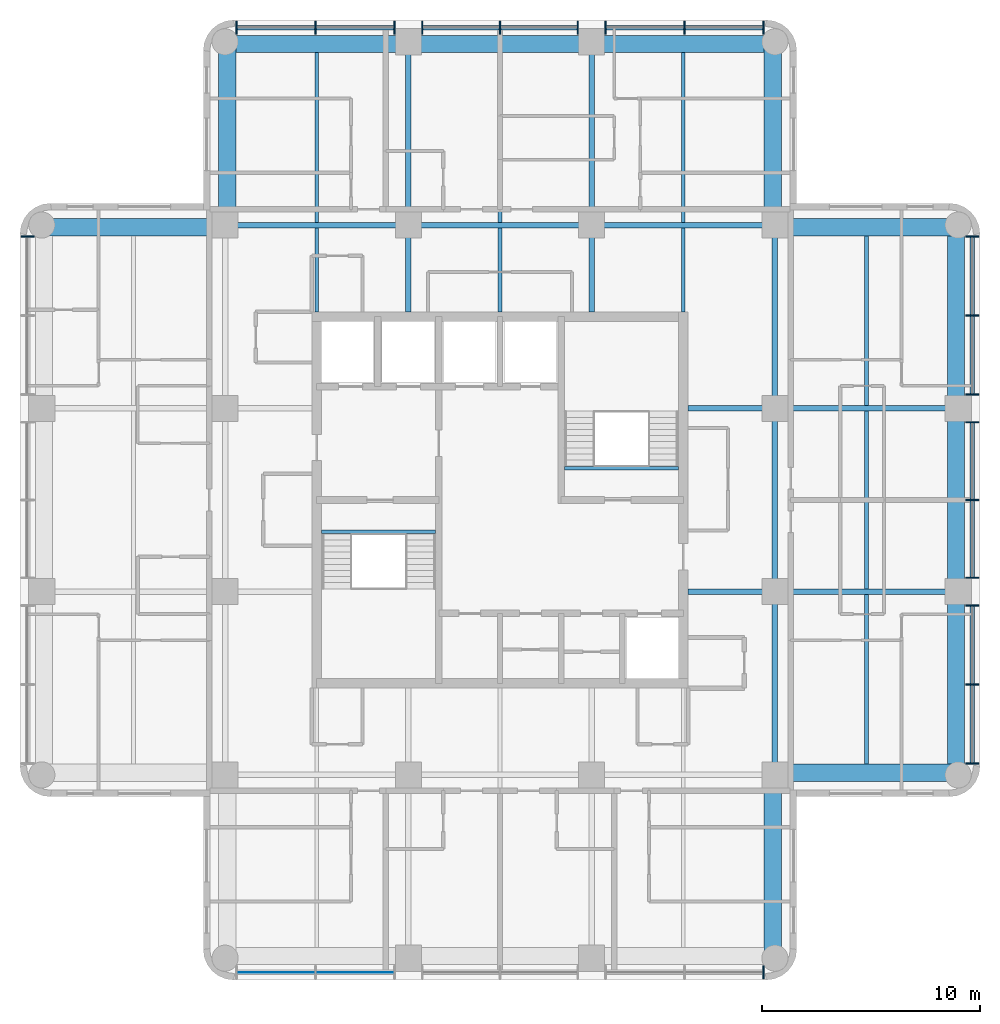
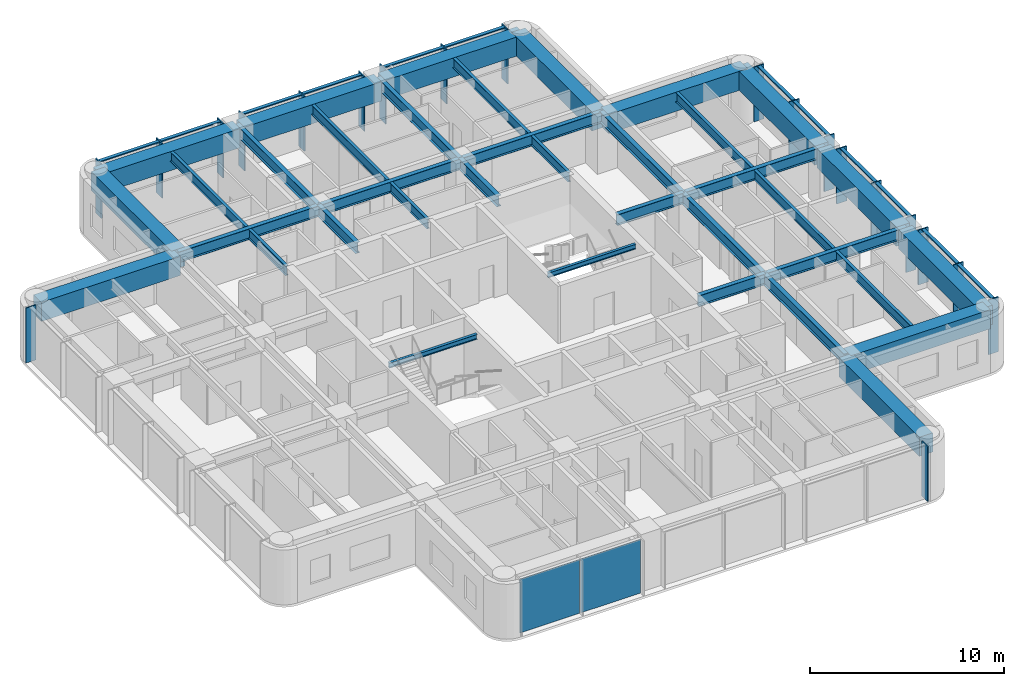
# One storey, part 2 of 10: 37 beams, 32 members, 2 plates, 4 elements without a shape of their own.
"""IFC4 building model written with IfcOpenShell, lengths in metres."""

import ifcopenshell
import ifcopenshell.guid

model = None  # the IFC model being written
_history = None  # IfcOwnerHistory: only IFC2X3 demands one
_inside = {}  # id of a spatial element -> (the spatial element, [elements in it])
_under = {}  # id of a project, library or spatial element -> (it, [spatial elements below it])
_declared = {}  # id of a project -> (the project, [libraries it declares])
_typed = {}  # id of a type object -> (the type object, [elements of that type])
_made_of = {}  # id of a material, layer set ... -> (it, [elements and type objects made of it])


def new_model(schema):
    """Start an empty IFC model of exactly this schema.

    Asked for "IFC4X3", IfcOpenShell would pick the latest addendum, in which some entities
    have other attributes; the version numbers below select the first issue.
    IFC2X3 requires an IfcOwnerHistory on every rooted entity: one is made here for all.
    """
    global model, _history
    if schema == "IFC4X3":
        model = ifcopenshell.file(schema_version=(4, 3, 0, 0))
    else:
        model = ifcopenshell.file(schema=schema)
    _inside.clear()
    _under.clear()
    _declared.clear()
    _typed.clear()
    _made_of.clear()
    _history = None
    if model.schema == "IFC2X3":
        org = make("IfcOrganization", Name="unknown")
        user = make(
            "IfcPersonAndOrganization",
            ThePerson=make("IfcPerson", FamilyName="unknown"),
            TheOrganization=org,
        )
        app = make(
            "IfcApplication",
            ApplicationDeveloper=org,
            Version="unknown",
            ApplicationFullName="unknown",
            ApplicationIdentifier="unknown",
        )
        _history = make(
            "IfcOwnerHistory",
            OwningUser=user,
            OwningApplication=app,
            ChangeAction="ADDED",
            CreationDate=0,
        )
    return model


def make(cls, **values):
    """One entity of the class cls with the attributes given. An attribute that is None is left unset."""
    return model.create_entity(
        cls, **{name: value for name, value in values.items() if value is not None}
    )


def rooted(cls, **values):
    """An entity with a GlobalId (a new one), such as an element, a storey or a relation."""
    return make(cls, GlobalId=ifcopenshell.guid.new(), OwnerHistory=_history, **values)


def si_unit(unit_type, name, prefix=None):
    """IfcSIUnit, for example si_unit("LENGTHUNIT", "METRE", prefix="MILLI")."""
    return make("IfcSIUnit", UnitType=unit_type, Prefix=prefix, Name=name)


def assignment(units):
    """IfcUnitAssignment: the units of a project."""
    return None if units is None else make("IfcUnitAssignment", Units=units)


def point(xyz):
    """IfcCartesianPoint."""
    return None if xyz is None else make("IfcCartesianPoint", Coordinates=xyz)


def direction(xyz):
    """IfcDirection."""
    return None if xyz is None else make("IfcDirection", DirectionRatios=xyz)


def frame(location, z_axis=None, x_axis=None):
    """IfcAxis2Placement3D, a coordinate frame: its origin and axes. An axis left out is left unset."""
    return make(
        "IfcAxis2Placement3D",
        Location=point(location),
        Axis=direction(z_axis),
        RefDirection=direction(x_axis),
    )


def frame_2d(location, x_axis=None):
    """IfcAxis2Placement2D, a coordinate frame in the plane: its origin and x axis."""
    return make(
        "IfcAxis2Placement2D", Location=point(location), RefDirection=direction(x_axis)
    )


def origin():
    """The frame at (0, 0, 0) with its axes left unset."""
    return frame((0.0, 0.0, 0.0))


def origin_2d():
    """The frame at (0, 0) in the plane with its x axis left unset."""
    return frame_2d((0.0, 0.0))


def place(relative_to, where):
    """IfcLocalPlacement: puts the frame where relative to a parent placement (None: the world)."""
    return make(
        "IfcLocalPlacement", PlacementRelTo=relative_to, RelativePlacement=where
    )


def context(
    kind, dimensions, precision=None, world=None, true_north=None, identifier=None
):
    """IfcGeometricRepresentationContext, for example the 3D "Model" context."""
    return make(
        "IfcGeometricRepresentationContext",
        ContextIdentifier=identifier,
        ContextType=kind,
        CoordinateSpaceDimension=dimensions,
        Precision=precision,
        WorldCoordinateSystem=world,
        TrueNorth=true_north,
    )


def subcontext(parent, identifier, kind, view, scale=None):
    """IfcGeometricRepresentationSubContext, for example "Body" below "Model"."""
    return make(
        "IfcGeometricRepresentationSubContext",
        ContextIdentifier=identifier,
        ContextType=kind,
        ParentContext=parent,
        TargetScale=scale,
        TargetView=view,
    )


def project(units=None, contexts=None):
    """IfcProject with its units and contexts."""
    return rooted(
        "IfcProject",
        Name="project",
        RepresentationContexts=contexts,
        UnitsInContext=assignment(units),
    )


def spatial(cls, under=None, at=None, **own):
    """A site, building, storey or space (cls), placed at a placement, below another one or the project."""
    s = rooted(cls, ObjectPlacement=at, **own)
    if under is not None:
        _under.setdefault(under.id(), (under, []))[1].append(s)
    return s


def profile(cls, at=None, kind="AREA", **sizes):
    """A parametric profile (cls). Its sizes go by their IFC names, for example OverallWidth=200.0."""
    return make(cls, ProfileType=kind, Position=at, **sizes)


def rectangle(**sizes):
    """IfcRectangleProfileDef."""
    return profile("IfcRectangleProfileDef", **sizes)


def i_section(**sizes):
    """IfcIShapeProfileDef."""
    return profile("IfcIShapeProfileDef", **sizes)


def extrude(swept, where, along, depth):
    """IfcExtrudedAreaSolid: the profile swept, set in the frame where, extruded along a direction by depth."""
    return make(
        "IfcExtrudedAreaSolid",
        SweptArea=swept,
        Position=where,
        ExtrudedDirection=direction(along),
        Depth=depth,
    )


def shape(context_of_items, identifier, shape_type, items):
    """IfcShapeRepresentation: the items that make up one representation, for example the "Body"."""
    return make(
        "IfcShapeRepresentation",
        ContextOfItems=context_of_items,
        RepresentationIdentifier=identifier,
        RepresentationType=shape_type,
        Items=items,
    )


def material(Name=None, Category=None):
    """IfcMaterial."""
    return make("IfcMaterial", Name=Name, Category=Category)


def layer(
    of_material, thickness, ventilated=None, Name=None, Category=None, Priority=None
):
    """IfcMaterialLayer: one layer of a wall or slab, of a material (None: an air gap)."""
    return make(
        "IfcMaterialLayer",
        Material=of_material,
        LayerThickness=thickness,
        IsVentilated=ventilated,
        Name=Name,
        Category=Category,
        Priority=Priority,
    )


def layer_set(layers, Name=None):
    """IfcMaterialLayerSet."""
    return make("IfcMaterialLayerSet", MaterialLayers=layers, LayerSetName=Name)


def material_profile(
    of_material, cross_section, Name=None, Category=None, Priority=None
):
    """IfcMaterialProfile: a cross section and its material."""
    return make(
        "IfcMaterialProfile",
        Name=Name,
        Material=of_material,
        Profile=cross_section,
        Priority=Priority,
        Category=Category,
    )


def profile_set(profiles, Name=None, composite=None):
    """IfcMaterialProfileSet."""
    return make(
        "IfcMaterialProfileSet",
        Name=Name,
        MaterialProfiles=profiles,
        CompositeProfile=composite,
    )


def made_of(thing, what):
    """Note that an element or type object is made of a material, layer set ...; save() writes the relation."""
    if what is not None:
        _made_of.setdefault(what.id(), (what, []))[1].append(thing)
    return thing


def type_object(cls, material=None, **own):
    """A type object (cls), such as IfcWallType, which elements share."""
    return made_of(rooted(cls, **own), material)


def element(
    cls,
    number,
    at=None,
    inside=None,
    cuts=None,
    type_object=None,
    material=None,
    context=None,
    identifier="Body",
    shape_type=None,
    held_by="IfcProductDefinitionShape",
    body=None,
    shapes=None,
    **own,
):
    """One element of the class cls, such as IfcWall. Its Tag is "e" and its number.

    at: its placement. inside: the storey or other place that contains it. cuts: it is an
    opening in that element (IfcRelVoidsElement). A single representation is given by context,
    identifier, shape_type and body (its items); several are given by shapes. held_by: the class
    of the entity that holds the representations. save() writes the other relations.
    """
    e = rooted(cls, Tag="e%d" % number, ObjectPlacement=at, **own)
    if body is not None:
        shapes = [shape(context, identifier, shape_type, body)]
    if shapes is not None:
        e.Representation = make(held_by, Representations=shapes)
    if inside is not None:
        _inside.setdefault(inside.id(), (inside, []))[1].append(e)
    if cuts is not None:
        rooted(
            "IfcRelVoidsElement", RelatingBuildingElement=cuts, RelatedOpeningElement=e
        )
    if type_object is not None:
        _typed.setdefault(type_object.id(), (type_object, []))[1].append(e)
    return made_of(e, material)


def aggregate(whole, parts):
    """IfcRelAggregates: a whole, such as a stair, and the parts it consists of."""
    return rooted("IfcRelAggregates", RelatingObject=whole, RelatedObjects=parts)


def save(model, path):
    """Write the relations noted so far, then the file.

    IfcRelAggregates (storeys below a building ...), IfcRelContainedInSpatialStructure (elements
    in a storey), IfcRelDefinesByType, IfcRelAssociatesMaterial and IfcRelDeclares: one each for
    every whole, place, type object, material and project.
    """
    for whole, parts in _under.values():
        aggregate(whole, parts)
    for where, things in _inside.values():
        rooted(
            "IfcRelContainedInSpatialStructure",
            RelatedElements=things,
            RelatingStructure=where,
        )
    for kind, things in _typed.values():
        rooted("IfcRelDefinesByType", RelatedObjects=things, RelatingType=kind)
    for what, things in _made_of.values():
        rooted("IfcRelAssociatesMaterial", RelatedObjects=things, RelatingMaterial=what)
    for by, libraries in _declared.values():
        rooted("IfcRelDeclares", RelatingContext=by, RelatedDefinitions=libraries)
    model.write(path)


model = new_model("IFC4")

# Units and contexts
model_context = context("Model", 3, precision=1e-05, world=origin(), true_north=direction((0.0, 1.0)))
body_context = subcontext(model_context, "Body", "Model", "MODEL_VIEW")
ifc_project = project(units=[si_unit("LENGTHUNIT", "METRE"), si_unit("AREAUNIT", "SQUARE_METRE"), si_unit("VOLUMEUNIT", "CUBIC_METRE"), si_unit("PLANEANGLEUNIT", "RADIAN"), si_unit("MASSUNIT", "GRAM", prefix="KILO")], contexts=[model_context])

# Site, building, storey
site_placement = place(None, origin())
site = spatial("IfcSite", under=ifc_project, at=site_placement, CompositionType="ELEMENT")
building_placement = place(site_placement, origin())
building = spatial("IfcBuilding", under=site, at=building_placement, Name="Torre Alcanfor", CompositionType="ELEMENT")
storey_placement = place(building_placement, frame((0.0, 0.0, 275.699951171875)))
storey = spatial("IfcBuildingStorey", under=building, at=storey_placement, Name="L72", CompositionType="ELEMENT", Elevation=275.699951171875)

# Curtain wall, member
ifc_material_1 = material(Name="Aluminium and glass", Category="aluminium")
curtain_wall_type = type_object("IfcCurtainWallType", Name="CW-A unitised apartment glazing with vertical FIN", PredefinedType="NOTDEFINED", material=ifc_material_1)
curtain_wall_1_placement = place(storey_placement, origin())
curtain_wall_1 = element("IfcCurtainWall", 1, at=curtain_wall_1_placement, inside=storey, type_object=curtain_wall_type, Name="Curtain wall CW-A L72 2", PredefinedType="NOTDEFINED")
ifc_material_2 = material(Name="Bronze anodised aluminium", Category="aluminium")
ifc_material_profile_1 = material_profile(ifc_material_2, rectangle(XDim=0.60009765625, YDim=0.06494140625, at=origin_2d()), Name="CW-A mullion 65x600")
ifc_profile_set_1 = profile_set([ifc_material_profile_1], Name="Bronze anodised aluminium")
member_type_1 = type_object("IfcMemberType", Name="CW-A mullion with vertical FIN 65x600", PredefinedType="MULLION", material=ifc_profile_set_1)
member_1_placement = place(storey_placement, frame((7.75, 41.47412109375, 0.0), z_axis=(0.0, 0.0, 1.0), x_axis=(1.0, 0.0, 0.0)))
member_1 = element("IfcMember", 2, at=member_1_placement, type_object=member_type_1, Name="CW-A mullion 1.1", PredefinedType="MULLION", context=body_context, shape_type="SweptSolid", body=[
    extrude(rectangle(XDim=0.60009765625, YDim=0.06494140625, at=origin_2d()), origin(), (0.0, 0.0, 1.0), 3.449951171875),
])
aggregate(curtain_wall_1, [member_1])

curtain_wall_2_placement = place(storey_placement, origin())
curtain_wall_2 = element("IfcCurtainWall", 3, at=curtain_wall_2_placement, inside=storey, type_object=curtain_wall_type, Name="Curtain wall CW-A L72 5", PredefinedType="NOTDEFINED")
member_2_placement = place(storey_placement, frame((41.47412109375, 7.75, 0.0), z_axis=(0.0, 0.0, 1.0), x_axis=(0.0, 1.0, 0.0)))
member_2 = element("IfcMember", 4, at=member_2_placement, type_object=member_type_1, Name="CW-A mullion 3.3", PredefinedType="MULLION", context=body_context, shape_type="SweptSolid", body=[
    extrude(rectangle(XDim=0.60009765625, YDim=0.06494140625, at=origin_2d()), origin(), (0.0, 0.0, 1.0), 3.449951171875),
])

# Curtain wall, members
curtain_wall_3_placement = place(storey_placement, origin())
curtain_wall_3 = element("IfcCurtainWall", 5, at=curtain_wall_3_placement, inside=storey, type_object=curtain_wall_type, Name="Curtain wall CW-A L72 8", PredefinedType="NOTDEFINED")
member_3_placement = place(storey_placement, frame((51.050048828125, 17.325927734375, 0.0), z_axis=(0.0, 0.0, 1.0), x_axis=(-1.0, 0.0, 0.0)))
member_3 = element("IfcMember", 6, at=member_3_placement, type_object=member_type_1, Name="CW-A mullion 1.1", PredefinedType="MULLION", context=body_context, shape_type="SweptSolid", body=[
    extrude(rectangle(XDim=0.60009765625, YDim=0.06494140625, at=origin_2d()), origin(), (0.0, 0.0, 1.0), 3.449951171875),
])
member_4_placement = place(storey_placement, frame((51.050048828125, 20.9443359375, 0.0), z_axis=(0.0, 0.0, 1.0), x_axis=(-1.0, 0.0, 0.0)))
member_4 = element("IfcMember", 7, at=member_4_placement, type_object=member_type_1, Name="CW-A mullion 1.2", PredefinedType="MULLION", context=body_context, shape_type="SweptSolid", body=[
    extrude(rectangle(XDim=0.60009765625, YDim=0.06494140625, at=origin_2d()), origin(), (0.0, 0.0, 1.0), 3.449951171875),
])
member_5_placement = place(storey_placement, frame((51.050048828125, 24.5625, 0.0), z_axis=(0.0, 0.0, 1.0), x_axis=(-1.0, 0.0, 0.0)))
member_5 = element("IfcMember", 8, at=member_5_placement, type_object=member_type_1, Name="CW-A mullion 1.3", PredefinedType="MULLION", context=body_context, shape_type="SweptSolid", body=[
    extrude(rectangle(XDim=0.60009765625, YDim=0.06494140625, at=origin_2d()), origin(), (0.0, 0.0, 1.0), 3.449951171875),
])
member_6_placement = place(storey_placement, frame((51.050048828125, 25.83740234375, 0.0), z_axis=(0.0, 0.0, 1.0), x_axis=(-1.0, 0.0, 0.0)))
member_6 = element("IfcMember", 9, at=member_6_placement, type_object=member_type_1, Name="CW-A mullion 2.1", PredefinedType="MULLION", context=body_context, shape_type="SweptSolid", body=[
    extrude(rectangle(XDim=0.60009765625, YDim=0.06494140625, at=origin_2d()), origin(), (0.0, 0.0, 1.0), 3.449951171875),
])
member_7_placement = place(storey_placement, frame((51.050048828125, 29.39990234375, 0.0), z_axis=(0.0, 0.0, 1.0), x_axis=(-1.0, 0.0, 0.0)))
member_7 = element("IfcMember", 10, at=member_7_placement, type_object=member_type_1, Name="CW-A mullion 2.2", PredefinedType="MULLION", context=body_context, shape_type="SweptSolid", body=[
    extrude(rectangle(XDim=0.60009765625, YDim=0.06494140625, at=origin_2d()), origin(), (0.0, 0.0, 1.0), 3.449951171875),
])
member_8_placement = place(storey_placement, frame((51.050048828125, 32.96240234375, 0.0), z_axis=(0.0, 0.0, 1.0), x_axis=(-1.0, 0.0, 0.0)))
member_8 = element("IfcMember", 11, at=member_8_placement, type_object=member_type_1, Name="CW-A mullion 2.3", PredefinedType="MULLION", context=body_context, shape_type="SweptSolid", body=[
    extrude(rectangle(XDim=0.60009765625, YDim=0.06494140625, at=origin_2d()), origin(), (0.0, 0.0, 1.0), 3.449951171875),
])
member_9_placement = place(storey_placement, frame((51.050048828125, 34.237548828125, 0.0), z_axis=(0.0, 0.0, 1.0), x_axis=(-1.0, 0.0, 0.0)))
member_9 = element("IfcMember", 12, at=member_9_placement, type_object=member_type_1, Name="CW-A mullion 3.1", PredefinedType="MULLION", context=body_context, shape_type="SweptSolid", body=[
    extrude(rectangle(XDim=0.60009765625, YDim=0.06494140625, at=origin_2d()), origin(), (0.0, 0.0, 1.0), 3.449951171875),
])
member_10_placement = place(storey_placement, frame((51.050048828125, 37.855712890625, 0.0), z_axis=(0.0, 0.0, 1.0), x_axis=(-1.0, 0.0, 0.0)))
member_10 = element("IfcMember", 13, at=member_10_placement, type_object=member_type_1, Name="CW-A mullion 3.2", PredefinedType="MULLION", context=body_context, shape_type="SweptSolid", body=[
    extrude(rectangle(XDim=0.60009765625, YDim=0.06494140625, at=origin_2d()), origin(), (0.0, 0.0, 1.0), 3.449951171875),
])
member_11_placement = place(storey_placement, frame((51.050048828125, 41.47412109375, 0.0), z_axis=(0.0, 0.0, 1.0), x_axis=(-1.0, 0.0, 0.0)))
member_11 = element("IfcMember", 14, at=member_11_placement, type_object=member_type_1, Name="CW-A mullion 3.3", PredefinedType="MULLION", context=body_context, shape_type="SweptSolid", body=[
    extrude(rectangle(XDim=0.60009765625, YDim=0.06494140625, at=origin_2d()), origin(), (0.0, 0.0, 1.0), 3.449951171875),
])

curtain_wall_4_placement = place(storey_placement, origin())
curtain_wall_4 = element("IfcCurtainWall", 15, at=curtain_wall_4_placement, inside=storey, type_object=curtain_wall_type, Name="Curtain wall CW-A L72 11", PredefinedType="NOTDEFINED")
member_12_placement = place(storey_placement, frame((41.47412109375, 51.050048828125, 0.0), z_axis=(0.0, 0.0, 1.0), x_axis=(0.0, -1.0, 0.0)))
member_12 = element("IfcMember", 16, at=member_12_placement, type_object=member_type_1, Name="CW-A mullion 1.1", PredefinedType="MULLION", context=body_context, shape_type="SweptSolid", body=[
    extrude(rectangle(XDim=0.60009765625, YDim=0.06494140625, at=origin_2d()), origin(), (0.0, 0.0, 1.0), 3.449951171875),
])
member_13_placement = place(storey_placement, frame((37.855712890625, 51.050048828125, 0.0), z_axis=(0.0, 0.0, 1.0), x_axis=(0.0, -1.0, 0.0)))
member_13 = element("IfcMember", 17, at=member_13_placement, type_object=member_type_1, Name="CW-A mullion 1.2", PredefinedType="MULLION", context=body_context, shape_type="SweptSolid", body=[
    extrude(rectangle(XDim=0.60009765625, YDim=0.06494140625, at=origin_2d()), origin(), (0.0, 0.0, 1.0), 3.449951171875),
])
member_14_placement = place(storey_placement, frame((34.237548828125, 51.050048828125, 0.0), z_axis=(0.0, 0.0, 1.0), x_axis=(0.0, -1.0, 0.0)))
member_14 = element("IfcMember", 18, at=member_14_placement, type_object=member_type_1, Name="CW-A mullion 1.3", PredefinedType="MULLION", context=body_context, shape_type="SweptSolid", body=[
    extrude(rectangle(XDim=0.60009765625, YDim=0.06494140625, at=origin_2d()), origin(), (0.0, 0.0, 1.0), 3.449951171875),
])
member_15_placement = place(storey_placement, frame((32.96240234375, 51.050048828125, 0.0), z_axis=(0.0, 0.0, 1.0), x_axis=(0.0, -1.0, 0.0)))
member_15 = element("IfcMember", 19, at=member_15_placement, type_object=member_type_1, Name="CW-A mullion 2.1", PredefinedType="MULLION", context=body_context, shape_type="SweptSolid", body=[
    extrude(rectangle(XDim=0.60009765625, YDim=0.06494140625, at=origin_2d()), origin(), (0.0, 0.0, 1.0), 3.449951171875),
])
member_16_placement = place(storey_placement, frame((29.39990234375, 51.050048828125, 0.0), z_axis=(0.0, 0.0, 1.0), x_axis=(0.0, -1.0, 0.0)))
member_16 = element("IfcMember", 20, at=member_16_placement, type_object=member_type_1, Name="CW-A mullion 2.2", PredefinedType="MULLION", context=body_context, shape_type="SweptSolid", body=[
    extrude(rectangle(XDim=0.60009765625, YDim=0.06494140625, at=origin_2d()), origin(), (0.0, 0.0, 1.0), 3.449951171875),
])
member_17_placement = place(storey_placement, frame((25.83740234375, 51.050048828125, 0.0), z_axis=(0.0, 0.0, 1.0), x_axis=(0.0, -1.0, 0.0)))
member_17 = element("IfcMember", 21, at=member_17_placement, type_object=member_type_1, Name="CW-A mullion 2.3", PredefinedType="MULLION", context=body_context, shape_type="SweptSolid", body=[
    extrude(rectangle(XDim=0.60009765625, YDim=0.06494140625, at=origin_2d()), origin(), (0.0, 0.0, 1.0), 3.449951171875),
])
member_18_placement = place(storey_placement, frame((24.5625, 51.050048828125, 0.0), z_axis=(0.0, 0.0, 1.0), x_axis=(0.0, -1.0, 0.0)))
member_18 = element("IfcMember", 22, at=member_18_placement, type_object=member_type_1, Name="CW-A mullion 3.1", PredefinedType="MULLION", context=body_context, shape_type="SweptSolid", body=[
    extrude(rectangle(XDim=0.60009765625, YDim=0.06494140625, at=origin_2d()), origin(), (0.0, 0.0, 1.0), 3.449951171875),
])
member_19_placement = place(storey_placement, frame((20.9443359375, 51.050048828125, 0.0), z_axis=(0.0, 0.0, 1.0), x_axis=(0.0, -1.0, 0.0)))
member_19 = element("IfcMember", 23, at=member_19_placement, type_object=member_type_1, Name="CW-A mullion 3.2", PredefinedType="MULLION", context=body_context, shape_type="SweptSolid", body=[
    extrude(rectangle(XDim=0.60009765625, YDim=0.06494140625, at=origin_2d()), origin(), (0.0, 0.0, 1.0), 3.449951171875),
])
member_20_placement = place(storey_placement, frame((17.325927734375, 51.050048828125, 0.0), z_axis=(0.0, 0.0, 1.0), x_axis=(0.0, -1.0, 0.0)))
member_20 = element("IfcMember", 24, at=member_20_placement, type_object=member_type_1, Name="CW-A mullion 3.3", PredefinedType="MULLION", context=body_context, shape_type="SweptSolid", body=[
    extrude(rectangle(XDim=0.60009765625, YDim=0.06494140625, at=origin_2d()), origin(), (0.0, 0.0, 1.0), 3.449951171875),
])

# Member
ifc_material_3 = material(Name="Extruded aluminium", Category="aluminium")
ifc_material_profile_2 = material_profile(ifc_material_3, rectangle(XDim=0.199951171875, YDim=0.06494140625, at=origin_2d()), Name="CW-A transom 200x65")
ifc_profile_set_2 = profile_set([ifc_material_profile_2], Name="Extruded aluminium")
member_type_2 = type_object("IfcMemberType", Name="CW-A transom 65x200", PredefinedType="USERDEFINED", material=ifc_profile_set_2)
member_21_placement = place(storey_placement, frame((51.050048828125, 17.3583984375, 3.41748046875), z_axis=(0.0, 1.0, 0.0), x_axis=(-1.0, 0.0, 0.0)))
member_21 = element("IfcMember", 25, at=member_21_placement, type_object=member_type_2, Name="CW-A transom 1.1.2", ObjectType="TRANSOM", PredefinedType="USERDEFINED", context=body_context, shape_type="SweptSolid", body=[
    extrude(rectangle(XDim=0.199951171875, YDim=0.06494140625, at=origin_2d()), origin(), (0.0, 0.0, 1.0), 3.553466796875),
])

member_22_placement = place(storey_placement, frame((51.050048828125, 20.976806640625, 3.41748046875), z_axis=(0.0, 1.0, 0.0), x_axis=(-1.0, 0.0, 0.0)))
member_22 = element("IfcMember", 26, at=member_22_placement, type_object=member_type_2, Name="CW-A transom 1.2.2", ObjectType="TRANSOM", PredefinedType="USERDEFINED", context=body_context, shape_type="SweptSolid", body=[
    extrude(rectangle(XDim=0.199951171875, YDim=0.06494140625, at=origin_2d()), origin(), (0.0, 0.0, 1.0), 3.55322265625),
])

member_23_placement = place(storey_placement, frame((51.050048828125, 25.8701171875, 3.41748046875), z_axis=(0.0, 1.0, 0.0), x_axis=(-1.0, 0.0, 0.0)))
member_23 = element("IfcMember", 27, at=member_23_placement, type_object=member_type_2, Name="CW-A transom 2.1.2", ObjectType="TRANSOM", PredefinedType="USERDEFINED", context=body_context, shape_type="SweptSolid", body=[
    extrude(rectangle(XDim=0.199951171875, YDim=0.06494140625, at=origin_2d()), origin(), (0.0, 0.0, 1.0), 3.497314453125),
])

member_24_placement = place(storey_placement, frame((51.050048828125, 29.4326171875, 3.41748046875), z_axis=(0.0, 1.0, 0.0), x_axis=(-1.0, 0.0, 0.0)))
member_24 = element("IfcMember", 28, at=member_24_placement, type_object=member_type_2, Name="CW-A transom 2.2.2", ObjectType="TRANSOM", PredefinedType="USERDEFINED", context=body_context, shape_type="SweptSolid", body=[
    extrude(rectangle(XDim=0.199951171875, YDim=0.06494140625, at=origin_2d()), origin(), (0.0, 0.0, 1.0), 3.497314453125),
])

member_25_placement = place(storey_placement, frame((51.050048828125, 34.27001953125, 3.41748046875), z_axis=(0.0, 1.0, 0.0), x_axis=(-1.0, 0.0, 0.0)))
member_25 = element("IfcMember", 29, at=member_25_placement, type_object=member_type_2, Name="CW-A transom 3.1.2", ObjectType="TRANSOM", PredefinedType="USERDEFINED", context=body_context, shape_type="SweptSolid", body=[
    extrude(rectangle(XDim=0.199951171875, YDim=0.06494140625, at=origin_2d()), origin(), (0.0, 0.0, 1.0), 3.55322265625),
])

member_26_placement = place(storey_placement, frame((51.050048828125, 37.88818359375, 3.41748046875), z_axis=(0.0, 1.0, 0.0), x_axis=(-1.0, 0.0, 0.0)))
member_26 = element("IfcMember", 30, at=member_26_placement, type_object=member_type_2, Name="CW-A transom 3.2.2", ObjectType="TRANSOM", PredefinedType="USERDEFINED", context=body_context, shape_type="SweptSolid", body=[
    extrude(rectangle(XDim=0.199951171875, YDim=0.06494140625, at=origin_2d()), origin(), (0.0, 0.0, 1.0), 3.55322265625),
])

aggregate(curtain_wall_3, [member_3, member_4, member_5, member_21, member_22, member_6, member_7, member_8, member_23, member_24, member_9, member_10, member_11, member_25, member_26])

member_27_placement = place(storey_placement, frame((41.44140625, 51.050048828125, 3.41748046875), z_axis=(-1.0, 0.0, 0.0), x_axis=(0.0, -1.0, 0.0)))
member_27 = element("IfcMember", 31, at=member_27_placement, type_object=member_type_2, Name="CW-A transom 1.1.2", ObjectType="TRANSOM", PredefinedType="USERDEFINED", context=body_context, shape_type="SweptSolid", body=[
    extrude(rectangle(XDim=0.199951171875, YDim=0.06494140625, at=origin_2d()), origin(), (0.0, 0.0, 1.0), 3.55322265625),
])

member_28_placement = place(storey_placement, frame((37.8232421875, 51.050048828125, 3.41748046875), z_axis=(-1.0, 0.0, 0.0), x_axis=(0.0, -1.0, 0.0)))
member_28 = element("IfcMember", 32, at=member_28_placement, type_object=member_type_2, Name="CW-A transom 1.2.2", ObjectType="TRANSOM", PredefinedType="USERDEFINED", context=body_context, shape_type="SweptSolid", body=[
    extrude(rectangle(XDim=0.199951171875, YDim=0.06494140625, at=origin_2d()), origin(), (0.0, 0.0, 1.0), 3.55322265625),
])

member_29_placement = place(storey_placement, frame((32.929931640625, 51.050048828125, 3.41748046875), z_axis=(-1.0, 0.0, 0.0), x_axis=(0.0, -1.0, 0.0)))
member_29 = element("IfcMember", 33, at=member_29_placement, type_object=member_type_2, Name="CW-A transom 2.1.2", ObjectType="TRANSOM", PredefinedType="USERDEFINED", context=body_context, shape_type="SweptSolid", body=[
    extrude(rectangle(XDim=0.199951171875, YDim=0.06494140625, at=origin_2d()), origin(), (0.0, 0.0, 1.0), 3.497314453125),
])

member_30_placement = place(storey_placement, frame((29.367431640625, 51.050048828125, 3.41748046875), z_axis=(-1.0, 0.0, 0.0), x_axis=(0.0, -1.0, 0.0)))
member_30 = element("IfcMember", 34, at=member_30_placement, type_object=member_type_2, Name="CW-A transom 2.2.2", ObjectType="TRANSOM", PredefinedType="USERDEFINED", context=body_context, shape_type="SweptSolid", body=[
    extrude(rectangle(XDim=0.199951171875, YDim=0.06494140625, at=origin_2d()), origin(), (0.0, 0.0, 1.0), 3.497314453125),
])

member_31_placement = place(storey_placement, frame((24.530029296875, 51.050048828125, 3.41748046875), z_axis=(-1.0, 0.0, 0.0), x_axis=(0.0, -1.0, 0.0)))
member_31 = element("IfcMember", 35, at=member_31_placement, type_object=member_type_2, Name="CW-A transom 3.1.2", ObjectType="TRANSOM", PredefinedType="USERDEFINED", context=body_context, shape_type="SweptSolid", body=[
    extrude(rectangle(XDim=0.199951171875, YDim=0.06494140625, at=origin_2d()), origin(), (0.0, 0.0, 1.0), 3.55322265625),
])

member_32_placement = place(storey_placement, frame((20.911865234375, 51.050048828125, 3.41748046875), z_axis=(-1.0, 0.0, 0.0), x_axis=(0.0, -1.0, 0.0)))
member_32 = element("IfcMember", 36, at=member_32_placement, type_object=member_type_2, Name="CW-A transom 3.2.2", ObjectType="TRANSOM", PredefinedType="USERDEFINED", context=body_context, shape_type="SweptSolid", body=[
    extrude(rectangle(XDim=0.199951171875, YDim=0.06494140625, at=origin_2d()), origin(), (0.0, 0.0, 1.0), 3.553466796875),
])

aggregate(curtain_wall_4, [member_12, member_13, member_14, member_27, member_28, member_15, member_16, member_17, member_29, member_30, member_18, member_19, member_20, member_31, member_32])

# Beams
ifc_material_4 = material(Name="Steel ASTM A992 Grade 50", Category="steel")
ifc_material_profile_3 = material_profile(ifc_material_4, i_section(OverallWidth=0.25390625, OverallDepth=0.683349609375, WebThickness=0.012451171875, FlangeThickness=0.01904296875, at=origin_2d()), Name="W27x94")
ifc_profile_set_3 = profile_set([ifc_material_profile_3], Name="Steel ASTM A992 Grade 50")
beam_type_1 = type_object("IfcBeamType", Name="Girder W27x94", PredefinedType="BEAM", material=ifc_profile_set_3)
for number, where, z_axis, x_axis, name in (
    (37, (42.0, 25.199951171875, 3.1083984375), (1.0, 0.0, 0.0), (0.0, 1.0, 0.0), "Beam 6F-7F under L73"),
    (38, (42.0, 33.60009765625, 3.1083984375), (1.0, 0.0, 0.0), (0.0, 1.0, 0.0), "Beam 6G-7G under L73"),
    (39, (16.800048828125, 42.0, 3.1083984375), (1.0, 0.0, 0.0), (0.0, 1.0, 0.0), "Beam 3H-4H under L73"),
):
    element("IfcBeam", number, at=place(storey_placement, frame(where, z_axis=z_axis, x_axis=x_axis)), inside=storey, type_object=beam_type_1, Name=name, PredefinedType="BEAM", context=body_context, shape_type="SweptSolid", body=[
        extrude(i_section(OverallWidth=0.25390625, OverallDepth=0.683349609375, WebThickness=0.012451171875, FlangeThickness=0.01904296875, at=origin_2d()), origin(), (0.0, 0.0, 1.0), 8.39990234375),
    ])
beam_1_placement = place(storey_placement, frame((25.199951171875, 42.0, 3.1083984375), z_axis=(1.0, 0.0, 0.0), x_axis=(0.0, 1.0, 0.0)))
element("IfcBeam", 40, at=beam_1_placement, inside=storey, type_object=beam_type_1, Name="Beam 4H-5H under L73", PredefinedType="BEAM", context=body_context, shape_type="SweptSolid", body=[
    extrude(i_section(OverallWidth=0.25390625, OverallDepth=0.683349609375, WebThickness=0.012451171875, FlangeThickness=0.01904296875, at=origin_2d()), origin(), (0.0, 0.0, 1.0), 8.400146484375),
])
for number, where, z_axis, x_axis, name in (
    (41, (33.60009765625, 42.0, 3.1083984375), (1.0, 0.0, 0.0), (0.0, 1.0, 0.0), "Beam 5H-6H under L73"),
    (42, (25.199951171875, 42.0, 3.1083984375), (0.0, 1.0, 0.0), (-1.0, 0.0, 0.0), "Beam 4H-4J under L73"),
    (43, (33.60009765625, 42.0, 3.1083984375), (0.0, 1.0, 0.0), (-1.0, 0.0, 0.0), "Beam 5H-5J under L73"),
    (44, (42.0, 16.800048828125, 3.1083984375), (0.0, 1.0, 0.0), (-1.0, 0.0, 0.0), "Beam 6E-6F under L73"),
):
    element("IfcBeam", number, at=place(storey_placement, frame(where, z_axis=z_axis, x_axis=x_axis)), inside=storey, type_object=beam_type_1, Name=name, PredefinedType="BEAM", context=body_context, shape_type="SweptSolid", body=[
        extrude(i_section(OverallWidth=0.25390625, OverallDepth=0.683349609375, WebThickness=0.012451171875, FlangeThickness=0.01904296875, at=origin_2d()), origin(), (0.0, 0.0, 1.0), 8.39990234375),
    ])
beam_2_placement = place(storey_placement, frame((42.0, 25.199951171875, 3.1083984375), z_axis=(0.0, 1.0, 0.0), x_axis=(-1.0, 0.0, 0.0)))
element("IfcBeam", 45, at=beam_2_placement, inside=storey, type_object=beam_type_1, Name="Beam 6F-6G under L73", PredefinedType="BEAM", context=body_context, shape_type="SweptSolid", body=[
    extrude(i_section(OverallWidth=0.25390625, OverallDepth=0.683349609375, WebThickness=0.012451171875, FlangeThickness=0.01904296875, at=origin_2d()), origin(), (0.0, 0.0, 1.0), 8.400146484375),
])
beam_3_placement = place(storey_placement, frame((42.0, 33.60009765625, 3.1083984375), z_axis=(0.0, 1.0, 0.0), x_axis=(-1.0, 0.0, 0.0)))
element("IfcBeam", 46, at=beam_3_placement, inside=storey, type_object=beam_type_1, Name="Beam 6G-6H under L73", PredefinedType="BEAM", context=body_context, shape_type="SweptSolid", body=[
    extrude(i_section(OverallWidth=0.25390625, OverallDepth=0.683349609375, WebThickness=0.012451171875, FlangeThickness=0.01904296875, at=origin_2d()), origin(), (0.0, 0.0, 1.0), 8.39990234375),
])
ifc_material_5 = material(Name="Steel ASTM A992 Grade 50", Category="steel")
ifc_material_profile_4 = material_profile(ifc_material_5, i_section(OverallWidth=0.25390625, OverallDepth=0.683349609375, WebThickness=0.012451171875, FlangeThickness=0.01904296875, at=origin_2d()), Name="W27x94")
ifc_profile_set_4 = profile_set([ifc_material_profile_4], Name="Steel ASTM A992 Grade 50")
beam_type_2 = type_object("IfcBeamType", Name="Girder, part bay W27x94", PredefinedType="BEAM", material=ifc_profile_set_4)
for number, where, z_axis, x_axis, name in (
    (47, (25.199951171875, 42.0, 3.1083984375), (0.0, -1.0, 0.0), (1.0, 0.0, 0.0), "Beam 4H-438_025 under L73"),
    (48, (33.60009765625, 42.0, 3.1083984375), (0.0, -1.0, 0.0), (1.0, 0.0, 0.0), "Beam 5H-538_025 under L73"),
    (49, (42.0, 25.199951171875, 3.1083984375), (-1.0, 0.0, 0.0), (0.0, -1.0, 0.0), "Beam 6F-38_025F under L73"),
    (50, (42.0, 33.60009765625, 3.1083984375), (-1.0, 0.0, 0.0), (0.0, -1.0, 0.0), "Beam 6G-38_025G under L73"),
):
    element("IfcBeam", number, at=place(storey_placement, frame(where, z_axis=z_axis, x_axis=x_axis)), inside=storey, type_object=beam_type_2, Name=name, PredefinedType="BEAM", context=body_context, shape_type="SweptSolid", body=[
        extrude(i_section(OverallWidth=0.25390625, OverallDepth=0.683349609375, WebThickness=0.012451171875, FlangeThickness=0.01904296875, at=origin_2d()), origin(), (0.0, 0.0, 1.0), 3.97509765625),
    ])
ifc_material_6 = material(Name="Concrete f'c 70 MPa", Category="concrete")
ifc_material_profile_5 = material_profile(ifc_material_6, rectangle(XDim=0.800048828125, YDim=1.199951171875, at=origin_2d()), Name="800x1200")
ifc_profile_set_5 = profile_set([ifc_material_profile_5], Name="Concrete f'c 70 MPa")
beam_type_3 = type_object("IfcBeamType", Name="RC perimeter beam 800x1200", PredefinedType="BEAM", material=ifc_profile_set_5)
beam_4_placement = place(storey_placement, frame((42.126953125, 16.89990234375, 2.85009765625), z_axis=(1.0, 0.0, 0.0), x_axis=(0.0, 1.0, 0.0)))
element("IfcBeam", 51, at=beam_4_placement, inside=storey, type_object=beam_type_3, Name="Beam 6E-7E under L73", PredefinedType="BEAM", context=body_context, shape_type="SweptSolid", body=[
    extrude(rectangle(XDim=0.800048828125, YDim=1.199951171875, at=origin_2d()), origin(), (0.0, 0.0, 1.0), 8.27294921875),
])
beam_5_placement = place(storey_placement, frame((8.39990234375, 41.89990234375, 2.85009765625), z_axis=(1.0, 0.0, 0.0), x_axis=(0.0, 1.0, 0.0)))
element("IfcBeam", 52, at=beam_5_placement, inside=storey, type_object=beam_type_3, Name="Beam 2H-3H under L73", PredefinedType="BEAM", context=body_context, shape_type="SweptSolid", body=[
    extrude(rectangle(XDim=0.800048828125, YDim=1.199951171875, at=origin_2d()), origin(), (0.0, 0.0, 1.0), 8.273193359375),
])
for number, where, z_axis, x_axis, name in (
    (53, (42.126953125, 41.89990234375, 2.85009765625), (1.0, 0.0, 0.0), (0.0, 1.0, 0.0), "Beam 6H-7H under L73"),
    (54, (16.800048828125, 50.300048828125, 2.85009765625), (1.0, 0.0, 0.0), (0.0, 1.0, 0.0), "Beam 3J-4J under L73"),
):
    element("IfcBeam", number, at=place(storey_placement, frame(where, z_axis=z_axis, x_axis=x_axis)), inside=storey, type_object=beam_type_3, Name=name, PredefinedType="BEAM", context=body_context, shape_type="SweptSolid", body=[
        extrude(rectangle(XDim=0.800048828125, YDim=1.199951171875, at=origin_2d()), origin(), (0.0, 0.0, 1.0), 8.27294921875),
    ])
beam_6_placement = place(storey_placement, frame((25.326904296875, 50.300048828125, 2.85009765625), z_axis=(1.0, 0.0, 0.0), x_axis=(0.0, 1.0, 0.0)))
element("IfcBeam", 55, at=beam_6_placement, inside=storey, type_object=beam_type_3, Name="Beam 4J-5J under L73", PredefinedType="BEAM", context=body_context, shape_type="SweptSolid", body=[
    extrude(rectangle(XDim=0.800048828125, YDim=1.199951171875, at=origin_2d()), origin(), (0.0, 0.0, 1.0), 8.14599609375),
])
for number, where, z_axis, x_axis, name in (
    (56, (33.72705078125, 50.300048828125, 2.85009765625), (1.0, 0.0, 0.0), (0.0, 1.0, 0.0), "Beam 5J-6J under L73"),
    (57, (16.89990234375, 42.126953125, 2.85009765625), (0.0, 1.0, 0.0), (-1.0, 0.0, 0.0), "Beam 3H-3J under L73"),
):
    element("IfcBeam", number, at=place(storey_placement, frame(where, z_axis=z_axis, x_axis=x_axis)), inside=storey, type_object=beam_type_3, Name=name, PredefinedType="BEAM", context=body_context, shape_type="SweptSolid", body=[
        extrude(rectangle(XDim=0.800048828125, YDim=1.199951171875, at=origin_2d()), origin(), (0.0, 0.0, 1.0), 8.27294921875),
    ])
beam_7_placement = place(storey_placement, frame((41.89990234375, 8.39990234375, 2.85009765625), z_axis=(0.0, 1.0, 0.0), x_axis=(-1.0, 0.0, 0.0)))
element("IfcBeam", 58, at=beam_7_placement, inside=storey, type_object=beam_type_3, Name="Beam 6D-6E under L73", PredefinedType="BEAM", context=body_context, shape_type="SweptSolid", body=[
    extrude(rectangle(XDim=0.800048828125, YDim=1.199951171875, at=origin_2d()), origin(), (0.0, 0.0, 1.0), 8.273193359375),
])
for number, where, z_axis, x_axis, name in (
    (59, (41.89990234375, 42.126953125, 2.85009765625), (0.0, 1.0, 0.0), (-1.0, 0.0, 0.0), "Beam 6H-6J under L73"),
    (60, (50.300048828125, 16.800048828125, 2.85009765625), (0.0, 1.0, 0.0), (-1.0, 0.0, 0.0), "Beam 7E-7F under L73"),
):
    element("IfcBeam", number, at=place(storey_placement, frame(where, z_axis=z_axis, x_axis=x_axis)), inside=storey, type_object=beam_type_3, Name=name, PredefinedType="BEAM", context=body_context, shape_type="SweptSolid", body=[
        extrude(rectangle(XDim=0.800048828125, YDim=1.199951171875, at=origin_2d()), origin(), (0.0, 0.0, 1.0), 8.27294921875),
    ])
beam_8_placement = place(storey_placement, frame((50.300048828125, 25.326904296875, 2.85009765625), z_axis=(0.0, 1.0, 0.0), x_axis=(-1.0, 0.0, 0.0)))
element("IfcBeam", 61, at=beam_8_placement, inside=storey, type_object=beam_type_3, Name="Beam 7F-7G under L73", PredefinedType="BEAM", context=body_context, shape_type="SweptSolid", body=[
    extrude(rectangle(XDim=0.800048828125, YDim=1.199951171875, at=origin_2d()), origin(), (0.0, 0.0, 1.0), 8.14599609375),
])
beam_9_placement = place(storey_placement, frame((50.300048828125, 33.72705078125, 2.85009765625), z_axis=(0.0, 1.0, 0.0), x_axis=(-1.0, 0.0, 0.0)))
element("IfcBeam", 62, at=beam_9_placement, inside=storey, type_object=beam_type_3, Name="Beam 7G-7H under L73", PredefinedType="BEAM", context=body_context, shape_type="SweptSolid", body=[
    extrude(rectangle(XDim=0.800048828125, YDim=1.199951171875, at=origin_2d()), origin(), (0.0, 0.0, 1.0), 8.27294921875),
])
ifc_material_7 = material(Name="Steel ASTM A992 Grade 50", Category="steel")
ifc_material_profile_6 = material_profile(ifc_material_7, i_section(OverallWidth=0.1787109375, OverallDepth=0.60205078125, WebThickness=0.010986328125, FlangeThickness=0.014892578125, at=origin_2d()), Name="W24x62")
ifc_profile_set_6 = profile_set([ifc_material_profile_6], Name="Steel ASTM A992 Grade 50")
beam_type_4 = type_object("IfcBeamType", Name="Secondary beam W24x62", PredefinedType="BEAM", material=ifc_profile_set_6)
for number, where, z_axis, x_axis, name in (
    (63, (21.0, 42.126953125, 3.149169921875), (0.0, 1.0, 0.0), (-1.0, 0.0, 0.0), "Beam 21H-21J under L73"),
    (64, (29.39990234375, 42.126953125, 3.149169921875), (0.0, 1.0, 0.0), (-1.0, 0.0, 0.0), "Beam 29_4H-29_4J under L73"),
    (65, (37.800048828125, 42.126953125, 3.149169921875), (0.0, 1.0, 0.0), (-1.0, 0.0, 0.0), "Beam 37_8H-37_8J under L73"),
    (66, (46.199951171875, 17.300048828125, 3.149169921875), (0.0, 1.0, 0.0), (-1.0, 0.0, 0.0), "Beam 46_2E-46_2F under L73"),
):
    element("IfcBeam", number, at=place(storey_placement, frame(where, z_axis=z_axis, x_axis=x_axis)), inside=storey, type_object=beam_type_4, Name=name, PredefinedType="BEAM", context=body_context, shape_type="SweptSolid", body=[
        extrude(i_section(OverallWidth=0.1787109375, OverallDepth=0.60205078125, WebThickness=0.010986328125, FlangeThickness=0.014892578125, at=origin_2d()), origin(), (0.0, 0.0, 1.0), 7.77294921875),
    ])
beam_10_placement = place(storey_placement, frame((46.199951171875, 25.326904296875, 3.149169921875), z_axis=(0.0, 1.0, 0.0), x_axis=(-1.0, 0.0, 0.0)))
element("IfcBeam", 67, at=beam_10_placement, inside=storey, type_object=beam_type_4, Name="Beam 46_2F-46_2G under L73", PredefinedType="BEAM", context=body_context, shape_type="SweptSolid", body=[
    extrude(i_section(OverallWidth=0.1787109375, OverallDepth=0.60205078125, WebThickness=0.010986328125, FlangeThickness=0.014892578125, at=origin_2d()), origin(), (0.0, 0.0, 1.0), 8.14599609375),
])
beam_11_placement = place(storey_placement, frame((46.199951171875, 33.72705078125, 3.149169921875), z_axis=(0.0, 1.0, 0.0), x_axis=(-1.0, 0.0, 0.0)))
element("IfcBeam", 68, at=beam_11_placement, inside=storey, type_object=beam_type_4, Name="Beam 46_2G-46_2H under L73", PredefinedType="BEAM", context=body_context, shape_type="SweptSolid", body=[
    extrude(i_section(OverallWidth=0.1787109375, OverallDepth=0.60205078125, WebThickness=0.010986328125, FlangeThickness=0.014892578125, at=origin_2d()), origin(), (0.0, 0.0, 1.0), 7.77294921875),
])
ifc_material_8 = material(Name="Steel ASTM A992 Grade 50", Category="steel")
ifc_material_profile_7 = material_profile(ifc_material_8, i_section(OverallWidth=0.1787109375, OverallDepth=0.60205078125, WebThickness=0.010986328125, FlangeThickness=0.014892578125, at=origin_2d()), Name="W24x62")
ifc_profile_set_7 = profile_set([ifc_material_profile_7], Name="Steel ASTM A992 Grade 50")
beam_type_5 = type_object("IfcBeamType", Name="Secondary beam, part bay W24x62", PredefinedType="BEAM", material=ifc_profile_set_7)
for number, where, z_axis, x_axis, name in (
    (69, (21.0, 38.02490234375, 3.149169921875), (0.0, 1.0, 0.0), (-1.0, 0.0, 0.0), "Beam 2138_025-21H under L73"),
    (70, (29.39990234375, 38.02490234375, 3.149169921875), (0.0, 1.0, 0.0), (-1.0, 0.0, 0.0), "Beam 29_438_025-29_4H under L73"),
    (71, (37.800048828125, 38.02490234375, 3.149169921875), (0.0, 1.0, 0.0), (-1.0, 0.0, 0.0), "Beam 37_838_025-37_8H under L73"),
):
    element("IfcBeam", number, at=place(storey_placement, frame(where, z_axis=z_axis, x_axis=x_axis)), inside=storey, type_object=beam_type_5, Name=name, PredefinedType="BEAM", context=body_context, shape_type="SweptSolid", body=[
        extrude(i_section(OverallWidth=0.1787109375, OverallDepth=0.60205078125, WebThickness=0.010986328125, FlangeThickness=0.014892578125, at=origin_2d()), origin(), (0.0, 0.0, 1.0), 3.84814453125),
    ])
ifc_material_9 = material(Name="Steel ASTM A992 Grade 50", Category="steel")
ifc_material_profile_8 = material_profile(ifc_material_9, i_section(OverallWidth=0.164794921875, OverallDepth=0.309814453125, WebThickness=0.005859375, FlangeThickness=0.009765625, at=origin_2d()), Name="W12x26")
ifc_profile_set_8 = profile_set([ifc_material_profile_8], Name="Steel ASTM A992 Grade 50")
beam_type_6 = type_object("IfcBeamType", Name="Stair landing beam W12x26", PredefinedType="BEAM", material=ifc_profile_set_8)
for number, where, z_axis, x_axis, name in (
    (72, (21.22509765625, 27.9375, 3.2451171875), (1.0, 0.0, 0.0), (0.0, 1.0, 0.0), "Landing trimmer S1 L73"),
    (73, (32.35009765625, 30.862548828125, 3.2451171875), (1.0, 0.0, 0.0), (0.0, 1.0, 0.0), "Landing trimmer S2 L73"),
):
    element("IfcBeam", number, at=place(storey_placement, frame(where, z_axis=z_axis, x_axis=x_axis)), inside=storey, type_object=beam_type_6, Name=name, PredefinedType="BEAM", context=body_context, shape_type="SweptSolid", body=[
        extrude(i_section(OverallWidth=0.164794921875, OverallDepth=0.309814453125, WebThickness=0.005859375, FlangeThickness=0.009765625, at=origin_2d()), origin(), (0.0, 0.0, 1.0), 5.224853515625),
    ])

# Plate
ifc_material_10 = material(Name="Glass", Category="glass")
ifc_layer = layer(ifc_material_10, 0.028076171875)
ifc_layer_set = layer_set([ifc_layer], Name="CW-A clear double glazed unit")
plate_type = type_object("IfcPlateType", Name="CW-A clear double glazed unit", PredefinedType="CURTAIN_PANEL", material=ifc_layer_set)
plate_1_placement = place(storey_placement, frame((19.135009765625, 7.75, 0.0), z_axis=(0.0, 0.0, 1.0), x_axis=(1.0, 0.0, 0.0)))
plate_1 = element("IfcPlate", 74, at=plate_1_placement, type_object=plate_type, Name="CW-A panel 1.1.1", PredefinedType="CURTAIN_PANEL", context=body_context, shape_type="SweptSolid", body=[
    extrude(rectangle(XDim=3.55322265625, YDim=0.028076171875, at=origin_2d()), origin(), (0.0, 0.0, 1.0), 3.385009765625),
])

plate_2_placement = place(storey_placement, frame((22.75341796875, 7.75, 0.0), z_axis=(0.0, 0.0, 1.0), x_axis=(1.0, 0.0, 0.0)))
plate_2 = element("IfcPlate", 75, at=plate_2_placement, type_object=plate_type, Name="CW-A panel 1.2.1", PredefinedType="CURTAIN_PANEL", context=body_context, shape_type="SweptSolid", body=[
    extrude(rectangle(XDim=3.55322265625, YDim=0.028076171875, at=origin_2d()), origin(), (0.0, 0.0, 1.0), 3.385009765625),
])

aggregate(curtain_wall_2, [plate_1, plate_2, member_2])

save(model, "model.ifc")
